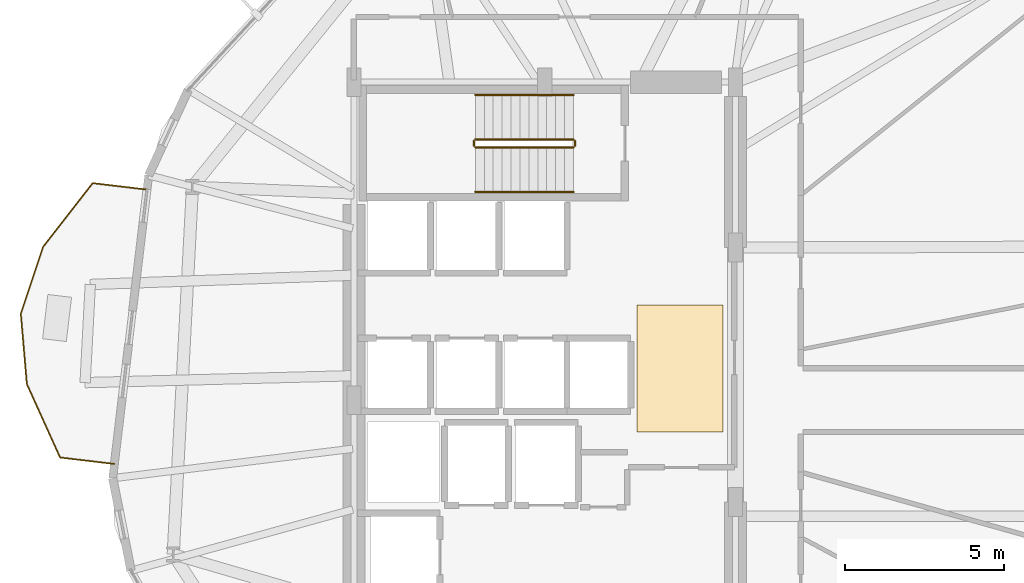
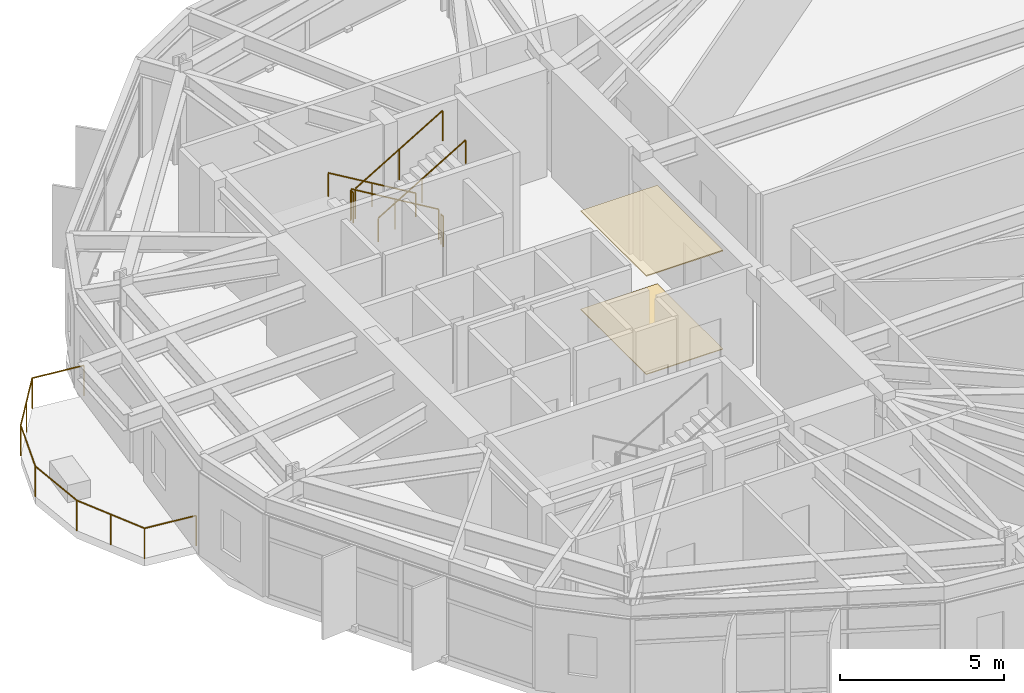
# One storey, part 21 of 22: 7 railings, 2 coverings.
"""IFC4 building model written with IfcOpenShell, lengths in metres."""

from ifc_helpers import new_model, si_unit, direction, frame, origin, origin_2d, place, context, subcontext, project, spatial, polyline, circle, outline, extrude, material, layer, layer_set, type_object, element, save


model = new_model("IFC4")

# Units and contexts
model_context = context("Model", 3, precision=1e-05, world=origin(), true_north=direction((0.0, 1.0)))
body_context = subcontext(model_context, "Body", "Model", "MODEL_VIEW")
ifc_project = project(units=[si_unit("LENGTHUNIT", "METRE"), si_unit("AREAUNIT", "SQUARE_METRE"), si_unit("VOLUMEUNIT", "CUBIC_METRE"), si_unit("PLANEANGLEUNIT", "RADIAN"), si_unit("MASSUNIT", "GRAM", prefix="KILO")], contexts=[model_context])

# Site, building, storey
site_placement = place(None, origin())
site = spatial("IfcSite", under=ifc_project, at=site_placement, CompositionType="ELEMENT")
building_placement = place(site_placement, origin())
building = spatial("IfcBuilding", under=site, at=building_placement, Name="Soratama Intermodal Tower", CompositionType="ELEMENT")
storey_placement = place(building_placement, frame((0.0, 0.0, 70.60009765625)))
storey = spatial("IfcBuildingStorey", under=building, at=storey_placement, Name="L16", CompositionType="ELEMENT", Elevation=70.60009765625)

# Coverings
ifc_material_1 = material(Name="Perforated mineral acoustic ceiling", Category="concrete")
ifc_layer_1 = layer(ifc_material_1, 0.0400390625)
ifc_layer_set_1 = layer_set([ifc_layer_1], Name="Perforated mineral acoustic ceiling")
covering_type_1 = type_object("IfcCoveringType", Name="CV-CEIL-ACOUSTIC", PredefinedType="CEILING", material=ifc_layer_set_1)
covering_1_placement = place(storey_placement, frame((0.0, 0.0, 3.659912109375)))
element("IfcCovering", 1, at=covering_1_placement, inside=storey, type_object=covering_type_1, Name="L16 Acoustic Ceiling", PredefinedType="CEILING", context=body_context, shape_type="SweptSolid", body=[
    extrude(outline(polyline([(41.5, 24.0), (44.199951171875, 24.0), (44.199951171875, 28.0), (41.5, 28.0), (41.5, 24.0)])), origin(), (0.0, 0.0, 1.0), 0.0400390625),
])
ifc_material_2 = material(Name="Polished Andean stone terrazzo flooring", Category="masonry")
ifc_layer_2 = layer(ifc_material_2, 0.030029296875)
ifc_layer_set_2 = layer_set([ifc_layer_2], Name="Polished Andean stone terrazzo flooring")
covering_type_2 = type_object("IfcCoveringType", Name="CV-FLOR-TERRAZZO", PredefinedType="FLOORING", material=ifc_layer_set_2)
covering_2_placement = place(storey_placement, origin())
element("IfcCovering", 2, at=covering_2_placement, inside=storey, type_object=covering_type_2, Name="L16 Lobby Terrazzo Flooring", PredefinedType="FLOORING", context=body_context, shape_type="SweptSolid", body=[
    extrude(outline(polyline([(41.5, 24.0), (44.199951171875, 24.0), (44.199951171875, 28.0), (41.5, 28.0), (41.5, 24.0)])), origin(), (0.0, 0.0, 1.0), 0.02978515625),
])

# Railings
ifc_material_3 = material(Name="Laminated glass and stainless steel balustrade", Category="steel")
railing_type_1 = type_object("IfcRailingType", Name="RL-BAL-1150", PredefinedType="BALUSTRADE", material=ifc_material_3)
railing_1_placement = place(storey_placement, frame((25.066650390625, 22.994384765625, 0.0)))
element("IfcRailing", 3, at=railing_1_placement, inside=storey, type_object=railing_type_1, Name="L16 Balcony Balustrade 2", PredefinedType="BALUSTRADE", context=body_context, shape_type="SweptSolid", body=[
    extrude(circle(Radius=0.02392578125, at=origin_2d()), frame((0.0, 0.0, 1.1259765625), z_axis=(-0.993000568198, 0.118109574373, 0.0), x_axis=(-0.118109574373, -0.993000568198, 0.0)), (0.0, 0.0, 1.0), 1.7197265625),
    extrude(circle(Radius=0.02392578125, at=origin_2d()), frame((-1.707763671875, 0.203125, 1.1259765625), z_axis=(-0.412004315715, 0.911181893933, 0.0), x_axis=(-0.911181893933, -0.412004315715, 0.0)), (0.0, 0.0, 1.0), 2.537353515625),
    extrude(circle(Radius=0.02392578125, at=origin_2d()), frame((-2.753173828125, 2.51513671875, 1.1259765625), z_axis=(-0.085404262899, 0.996346381475, 0.0), x_axis=(-0.996346381475, -0.085404262899, 0.0)), (0.0, 0.0, 1.0), 2.21826171875),
    extrude(circle(Radius=0.02392578125, at=origin_2d()), frame((-2.942626953125, 4.725341796875, 1.1259765625), z_axis=(0.316623931055, 0.948551151116, 0.0), x_axis=(-0.948551151116, 0.316623931055, 0.0)), (0.0, 0.0, 1.0), 2.21826171875),
    extrude(circle(Radius=0.02392578125, at=origin_2d()), frame((-2.240234375, 6.82958984375, 1.1259765625), z_axis=(0.61416041116, 0.789181214528, 0.0), x_axis=(-0.789181214528, 0.61416041116, 0.0)), (0.0, 0.0, 1.0), 2.537353515625),
    extrude(circle(Radius=0.02392578125, at=origin_2d()), frame((-0.681884765625, 8.83203125, 1.1259765625), z_axis=(0.993002548084, -0.118092927388, 0.0), x_axis=(0.118092927388, 0.993002548084, 0.0)), (0.0, 0.0, 1.0), 1.719970703125),
    extrude(circle(Radius=0.02099609375, at=origin_2d()), origin(), (0.0, 0.0, 1.0), 1.101806640625),
    extrude(circle(Radius=0.02099609375, at=origin_2d()), frame((-1.707763671875, 0.203125, 0.0)), (0.0, 0.0, 1.0), 1.101806640625),
    extrude(circle(Radius=0.02099609375, at=origin_2d()), frame((-2.23046875, 1.359130859375, 0.0)), (0.0, 0.0, 1.0), 1.101806640625),
    extrude(circle(Radius=0.02099609375, at=origin_2d()), frame((-2.753173828125, 2.51513671875, 0.0)), (0.0, 0.0, 1.0), 1.101806640625),
    extrude(circle(Radius=0.02099609375, at=origin_2d()), frame((-2.942626953125, 4.725341796875, 0.0)), (0.0, 0.0, 1.0), 1.101806640625),
    extrude(circle(Radius=0.02099609375, at=origin_2d()), frame((-2.240234375, 6.82958984375, 0.0)), (0.0, 0.0, 1.0), 1.101806640625),
    extrude(circle(Radius=0.02099609375, at=origin_2d()), frame((-1.4609375, 7.830810546875, 0.0)), (0.0, 0.0, 1.0), 1.101806640625),
    extrude(circle(Radius=0.02099609375, at=origin_2d()), frame((-0.681884765625, 8.83203125, 0.0)), (0.0, 0.0, 1.0), 1.101806640625),
    extrude(circle(Radius=0.02099609375, at=origin_2d()), frame((1.026123046875, 8.62890625, 0.0)), (0.0, 0.0, 1.0), 1.101806640625),
])
ifc_material_4 = material(Name="Painted steel stair guardrail", Category="steel")
railing_type_2 = type_object("IfcRailingType", Name="RL-STAIR-GUARD", PredefinedType="GUARDRAIL", material=ifc_material_4)
railing_2_placement = place(storey_placement, frame((39.5, 33.199951171875, 0.16650390625)))
element("IfcRailing", 4, at=railing_2_placement, inside=storey, type_object=railing_type_2, Name="L16 ST-2 stair guard 1", PredefinedType="GUARDRAIL", context=body_context, shape_type="SweptSolid", body=[
    extrude(circle(Radius=0.02392578125, at=origin_2d()), frame((0.0, 0.0, 1.1259765625), z_axis=(-0.85927862911, 0.0, 0.511507807912), x_axis=(0.0, -1.0, 0.0)), (0.0, 0.0, 1.0), 3.58447265625),
    extrude(circle(Radius=0.02099609375, at=origin_2d()), origin(), (0.0, 0.0, 1.0), 1.101806640625),
    extrude(circle(Radius=0.02099609375, at=origin_2d()), frame((-1.5400390625, 0.0, 0.916748046875)), (0.0, 0.0, 1.0), 1.101806640625),
    extrude(circle(Radius=0.02099609375, at=origin_2d()), frame((-3.080078125, 0.0, 1.83349609375)), (0.0, 0.0, 1.0), 1.101806640625),
])
railing_3_placement = place(storey_placement, frame((36.3701171875, 33.14990234375, 2.0)))
element("IfcRailing", 5, at=railing_3_placement, inside=storey, type_object=railing_type_2, Name="L16 ST-2 stair guard 2", PredefinedType="GUARDRAIL", context=body_context, shape_type="SweptSolid", body=[
    extrude(circle(Radius=0.02392578125, at=origin_2d()), frame((0.0, 0.0, 1.1259765625), z_axis=(0.0, -1.0, 0.0), x_axis=(1.0, 0.0, 0.0)), (0.0, 0.0, 1.0), 0.14990234375),
    extrude(circle(Radius=0.02099609375, at=origin_2d()), origin(), (0.0, 0.0, 1.0), 1.101806640625),
    extrude(circle(Radius=0.02099609375, at=origin_2d()), frame((0.0, -0.14990234375, 0.0)), (0.0, 0.0, 1.0), 1.101806640625),
])
railing_4_placement = place(storey_placement, frame((36.419921875, 32.949951171875, 2.16650390625)))
element("IfcRailing", 6, at=railing_4_placement, inside=storey, type_object=railing_type_2, Name="L16 ST-2 stair guard 3", PredefinedType="GUARDRAIL", context=body_context, shape_type="SweptSolid", body=[
    extrude(circle(Radius=0.02392578125, at=origin_2d()), frame((0.0, 0.0, 1.1259765625), z_axis=(0.85927862911, 0.0, 0.511507807912), x_axis=(0.0, 1.0, 0.0)), (0.0, 0.0, 1.0), 3.58447265625),
    extrude(circle(Radius=0.02099609375, at=origin_2d()), origin(), (0.0, 0.0, 1.0), 1.101806640625),
    extrude(circle(Radius=0.02099609375, at=origin_2d()), frame((1.5400390625, 0.0, 0.916748046875)), (0.0, 0.0, 1.0), 1.101806640625),
    extrude(circle(Radius=0.02099609375, at=origin_2d()), frame((3.080078125, 0.0, 1.83349609375)), (0.0, 0.0, 1.0), 1.101806640625),
])
railing_5_placement = place(storey_placement, frame((39.550048828125, 33.14990234375, 0.0)))
element("IfcRailing", 7, at=railing_5_placement, inside=storey, type_object=railing_type_2, Name="L16 ST-2 stair guard 4", PredefinedType="GUARDRAIL", context=body_context, shape_type="SweptSolid", body=[
    extrude(circle(Radius=0.02392578125, at=origin_2d()), frame((0.0, 0.0, 1.1259765625), z_axis=(0.0, -1.0, 0.0), x_axis=(1.0, 0.0, 0.0)), (0.0, 0.0, 1.0), 0.14990234375),
    extrude(circle(Radius=0.02099609375, at=origin_2d()), origin(), (0.0, 0.0, 1.0), 1.101806640625),
    extrude(circle(Radius=0.02099609375, at=origin_2d()), frame((0.0, -0.14990234375, 0.0)), (0.0, 0.0, 1.0), 1.101806640625),
])
ifc_material_5 = material(Name="Brushed stainless steel handrail", Category="steel")
railing_type_3 = type_object("IfcRailingType", Name="RL-STAIR-HAND", PredefinedType="HANDRAIL", material=ifc_material_5)
railing_6_placement = place(storey_placement, frame((39.5, 34.60009765625, 0.16650390625)))
element("IfcRailing", 8, at=railing_6_placement, inside=storey, type_object=railing_type_3, Name="L16 ST-2 stair handrail 1", PredefinedType="HANDRAIL", context=body_context, shape_type="SweptSolid", body=[
    extrude(circle(Radius=0.02392578125, at=origin_2d()), frame((0.0, 0.0, 0.8759765625), z_axis=(-0.85927862911, 0.0, 0.511507807912), x_axis=(0.0, -1.0, 0.0)), (0.0, 0.0, 1.0), 3.58447265625),
    extrude(circle(Radius=0.02099609375, at=origin_2d()), origin(), (0.0, 0.0, 1.0), 0.851806640625),
    extrude(circle(Radius=0.02099609375, at=origin_2d()), frame((-1.5400390625, 0.0, 0.916748046875)), (0.0, 0.0, 1.0), 0.851806640625),
    extrude(circle(Radius=0.02099609375, at=origin_2d()), frame((-3.080078125, 0.0, 1.83349609375)), (0.0, 0.0, 1.0), 0.851806640625),
])
railing_7_placement = place(storey_placement, frame((36.419921875, 31.550048828125, 2.16650390625)))
element("IfcRailing", 9, at=railing_7_placement, inside=storey, type_object=railing_type_3, Name="L16 ST-2 stair handrail 2", PredefinedType="HANDRAIL", context=body_context, shape_type="SweptSolid", body=[
    extrude(circle(Radius=0.02392578125, at=origin_2d()), frame((0.0, 0.0, 0.8759765625), z_axis=(0.85927862911, 0.0, 0.511507807912), x_axis=(0.0, 1.0, 0.0)), (0.0, 0.0, 1.0), 3.58447265625),
    extrude(circle(Radius=0.02099609375, at=origin_2d()), origin(), (0.0, 0.0, 1.0), 0.851806640625),
    extrude(circle(Radius=0.02099609375, at=origin_2d()), frame((1.5400390625, 0.0, 0.916748046875)), (0.0, 0.0, 1.0), 0.851806640625),
    extrude(circle(Radius=0.02099609375, at=origin_2d()), frame((3.080078125, 0.0, 1.83349609375)), (0.0, 0.0, 1.0), 0.851806640625),
])

save(model, "model.ifc")
